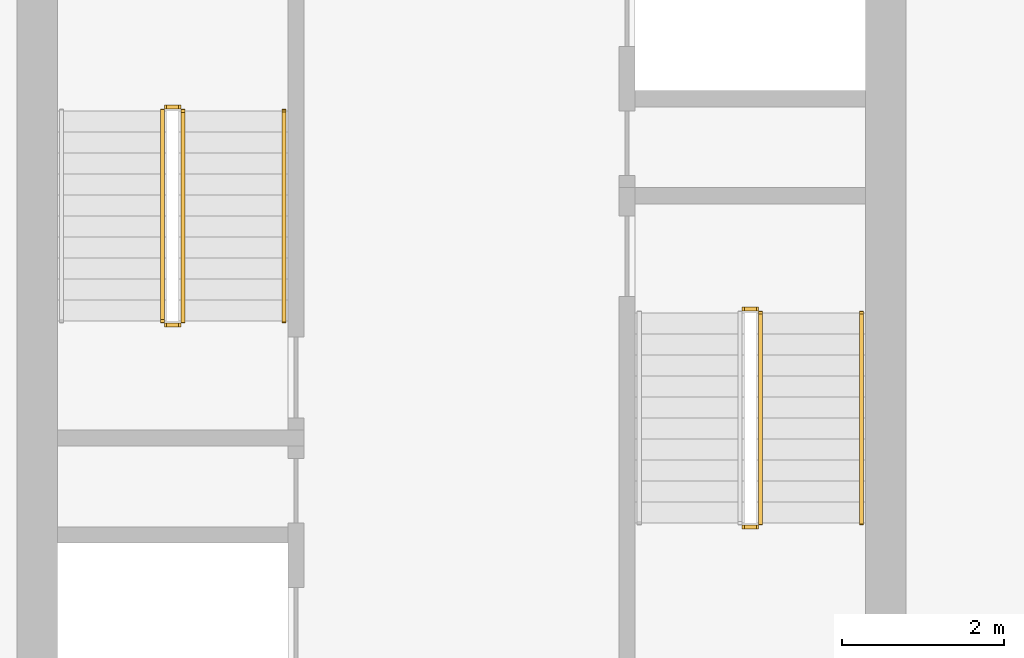
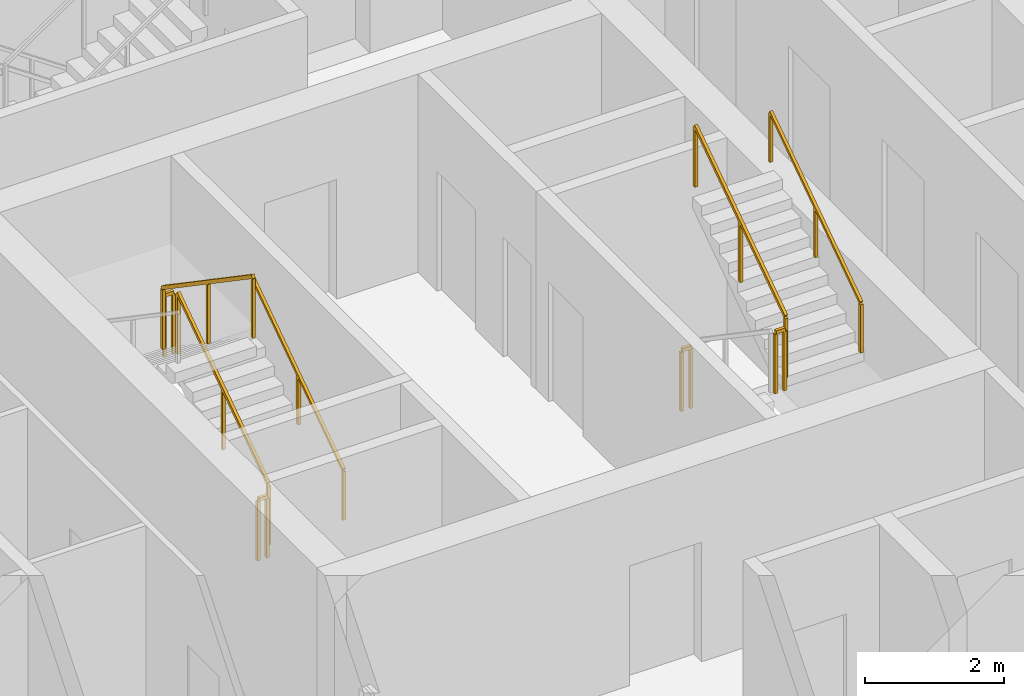
# One storey, part 12 of 15: 9 railings.
"""IFC4 building model written with IfcOpenShell, lengths in metres."""

from ifc_helpers import new_model, si_unit, direction, frame, origin, origin_2d, place, context, subcontext, project, spatial, rectangle, extrude, material, type_object, element, save


model = new_model("IFC4")

# Units and contexts
model_context = context("Model", 3, precision=1e-05, world=origin(), true_north=direction((0.0, 1.0)))
body_context = subcontext(model_context, "Body", "Model", "MODEL_VIEW")
ifc_project = project(units=[si_unit("LENGTHUNIT", "METRE"), si_unit("AREAUNIT", "SQUARE_METRE"), si_unit("VOLUMEUNIT", "CUBIC_METRE"), si_unit("PLANEANGLEUNIT", "RADIAN"), si_unit("MASSUNIT", "GRAM", prefix="KILO")], contexts=[model_context])

# Site, building, storey
site_placement = place(None, origin())
site = spatial("IfcSite", under=ifc_project, at=site_placement, CompositionType="ELEMENT")
building_placement = place(site_placement, origin())
building = spatial("IfcBuilding", under=site, at=building_placement, Name="Khepri Terraces", CompositionType="ELEMENT")
storey_placement = place(building_placement, frame((0.0, 0.0, 145.5)))
storey = spatial("IfcBuildingStorey", under=building, at=storey_placement, Name="L34", CompositionType="ELEMENT", Elevation=145.5)

# Railings
ifc_material = material(Name="Stainless steel 316", Category="steel")
railing_type_1 = type_object("IfcRailingType", Name="RL-CORE-GUARD", PredefinedType="GUARDRAIL", material=ifc_material)
railing_1_placement = place(storey_placement, frame((-3.449951171875, -0.050048828125, 0.17724609375)))
element("IfcRailing", 1, at=railing_1_placement, inside=storey, type_object=railing_type_1, Name="L34 ST-1 stair guard 1", PredefinedType="GUARDRAIL", context=body_context, shape_type="SweptSolid", body=[
    extrude(rectangle(XDim=0.050048828125, YDim=0.06005859375, at=origin_2d()), frame((0.0, 0.0, 1.070068359375), z_axis=(0.0, 0.826240473404, 0.563317565952), x_axis=(-1.0, 0.0, 0.0)), (0.0, 0.0, 1.0), 3.14697265625),
    extrude(rectangle(XDim=0.050048828125, YDim=0.050048828125, at=origin_2d()), origin(), (0.0, 0.0, 1.0), 1.0400390625),
    extrude(rectangle(XDim=0.050048828125, YDim=0.050048828125, at=origin_2d()), frame((0.0, 1.300048828125, 0.88623046875)), (0.0, 0.0, 1.0), 1.0400390625),
    extrude(rectangle(XDim=0.050048828125, YDim=0.050048828125, at=origin_2d()), frame((0.0, 2.60009765625, 1.772705078125)), (0.0, 0.0, 1.0), 1.0400390625),
])
railing_2_placement = place(storey_placement, frame((-3.5, 2.60009765625, 1.949951171875)))
element("IfcRailing", 2, at=railing_2_placement, inside=storey, type_object=railing_type_1, Name="L34 ST-1 stair guard 2", PredefinedType="GUARDRAIL", context=body_context, shape_type="SweptSolid", body=[
    extrude(rectangle(XDim=0.050048828125, YDim=0.06005859375, at=origin_2d()), frame((0.0, 0.0, 1.070068359375), z_axis=(-1.0, 0.0, 0.0), x_axis=(0.0, -1.0, 0.0)), (0.0, 0.0, 1.0), 0.14990234375),
    extrude(rectangle(XDim=0.050048828125, YDim=0.050048828125, at=origin_2d()), origin(), (0.0, 0.0, 1.0), 1.0400390625),
    extrude(rectangle(XDim=0.050048828125, YDim=0.050048828125, at=origin_2d()), frame((-0.14990234375, 0.0, 0.0)), (0.0, 0.0, 1.0), 1.0400390625),
])
railing_3_placement = place(storey_placement, frame((-3.699951171875, 2.550048828125, 2.127197265625)))
element("IfcRailing", 3, at=railing_3_placement, inside=storey, type_object=railing_type_1, Name="L34 ST-1 stair guard 3", PredefinedType="GUARDRAIL", context=body_context, shape_type="SweptSolid", body=[
    extrude(rectangle(XDim=0.050048828125, YDim=0.06005859375, at=origin_2d()), frame((0.0, 0.0, 1.070068359375), z_axis=(0.0, -0.826240473404, 0.563317565952), x_axis=(1.0, 0.0, 0.0)), (0.0, 0.0, 1.0), 3.14697265625),
    extrude(rectangle(XDim=0.050048828125, YDim=0.050048828125, at=origin_2d()), origin(), (0.0, 0.0, 1.0), 1.0400390625),
    extrude(rectangle(XDim=0.050048828125, YDim=0.050048828125, at=origin_2d()), frame((0.0, -1.300048828125, 0.88623046875)), (0.0, 0.0, 1.0), 1.0400390625),
    extrude(rectangle(XDim=0.050048828125, YDim=0.050048828125, at=origin_2d()), frame((0.0, -2.60009765625, 1.772705078125)), (0.0, 0.0, 1.0), 1.0400390625),
])
railing_4_placement = place(storey_placement, frame((-3.5, -0.10009765625, 0.0)))
element("IfcRailing", 4, at=railing_4_placement, inside=storey, type_object=railing_type_1, Name="L34 ST-1 stair guard 4", PredefinedType="GUARDRAIL", context=body_context, shape_type="SweptSolid", body=[
    extrude(rectangle(XDim=0.050048828125, YDim=0.06005859375, at=origin_2d()), frame((0.0, 0.0, 1.070068359375), z_axis=(-1.0, 0.0, 0.0), x_axis=(0.0, -1.0, 0.0)), (0.0, 0.0, 1.0), 0.14990234375),
    extrude(rectangle(XDim=0.050048828125, YDim=0.050048828125, at=origin_2d()), origin(), (0.0, 0.0, 1.0), 1.0400390625),
    extrude(rectangle(XDim=0.050048828125, YDim=0.050048828125, at=origin_2d()), frame((-0.14990234375, 0.0, 0.0)), (0.0, 0.0, 1.0), 1.0400390625),
])
railing_5_placement = place(storey_placement, frame((3.5, -2.60009765625, 1.949951171875)))
element("IfcRailing", 5, at=railing_5_placement, inside=storey, type_object=railing_type_1, Name="L34 ST-2 stair guard 2", PredefinedType="GUARDRAIL", context=body_context, shape_type="SweptSolid", body=[
    extrude(rectangle(XDim=0.050048828125, YDim=0.06005859375, at=origin_2d()), frame((0.0, 0.0, 1.070068359375), z_axis=(1.0, 0.0, 0.0), x_axis=(0.0, 1.0, 0.0)), (0.0, 0.0, 1.0), 0.14990234375),
    extrude(rectangle(XDim=0.050048828125, YDim=0.050048828125, at=origin_2d()), origin(), (0.0, 0.0, 1.0), 1.0400390625),
    extrude(rectangle(XDim=0.050048828125, YDim=0.050048828125, at=origin_2d()), frame((0.14990234375, 0.0, 0.0)), (0.0, 0.0, 1.0), 1.0400390625),
])
railing_6_placement = place(storey_placement, frame((3.699951171875, -2.550048828125, 2.127197265625)))
element("IfcRailing", 6, at=railing_6_placement, inside=storey, type_object=railing_type_1, Name="L34 ST-2 stair guard 3", PredefinedType="GUARDRAIL", context=body_context, shape_type="SweptSolid", body=[
    extrude(rectangle(XDim=0.050048828125, YDim=0.06005859375, at=origin_2d()), frame((0.0, 0.0, 1.070068359375), z_axis=(0.0, 0.826240473404, 0.563317565952), x_axis=(-1.0, 0.0, 0.0)), (0.0, 0.0, 1.0), 3.14697265625),
    extrude(rectangle(XDim=0.050048828125, YDim=0.050048828125, at=origin_2d()), origin(), (0.0, 0.0, 1.0), 1.0400390625),
    extrude(rectangle(XDim=0.050048828125, YDim=0.050048828125, at=origin_2d()), frame((0.0, 1.300048828125, 0.88623046875)), (0.0, 0.0, 1.0), 1.0400390625),
    extrude(rectangle(XDim=0.050048828125, YDim=0.050048828125, at=origin_2d()), frame((0.0, 2.60009765625, 1.772705078125)), (0.0, 0.0, 1.0), 1.0400390625),
])
railing_7_placement = place(storey_placement, frame((3.5, 0.10009765625, 0.0)))
element("IfcRailing", 7, at=railing_7_placement, inside=storey, type_object=railing_type_1, Name="L34 ST-2 stair guard 4", PredefinedType="GUARDRAIL", context=body_context, shape_type="SweptSolid", body=[
    extrude(rectangle(XDim=0.050048828125, YDim=0.06005859375, at=origin_2d()), frame((0.0, 0.0, 1.070068359375), z_axis=(1.0, 0.0, 0.0), x_axis=(0.0, 1.0, 0.0)), (0.0, 0.0, 1.0), 0.14990234375),
    extrude(rectangle(XDim=0.050048828125, YDim=0.050048828125, at=origin_2d()), origin(), (0.0, 0.0, 1.0), 1.0400390625),
    extrude(rectangle(XDim=0.050048828125, YDim=0.050048828125, at=origin_2d()), frame((0.14990234375, 0.0, 0.0)), (0.0, 0.0, 1.0), 1.0400390625),
])
railing_type_2 = type_object("IfcRailingType", Name="RL-CORE-HANDRAIL", PredefinedType="HANDRAIL", material=ifc_material)
for number, where, name in (
    (8, (-2.199951171875, -0.050048828125, 0.17724609375), "L34 ST-1 stair handrail 1"),
    (9, (4.949951171875, -2.550048828125, 2.127197265625), "L34 ST-2 stair handrail 2"),
):
    element("IfcRailing", number, at=place(storey_placement, frame(where)), inside=storey, type_object=railing_type_2, Name=name, PredefinedType="HANDRAIL", context=body_context, shape_type="SweptSolid", body=[
        extrude(rectangle(XDim=0.050048828125, YDim=0.050048828125, at=origin_2d()), frame((0.0, 0.0, 0.875), z_axis=(0.0, 0.826240473404, 0.563317565952), x_axis=(-1.0, 0.0, 0.0)), (0.0, 0.0, 1.0), 3.14697265625),
        extrude(rectangle(XDim=0.050048828125, YDim=0.050048828125, at=origin_2d()), origin(), (0.0, 0.0, 1.0), 0.849853515625),
        extrude(rectangle(XDim=0.050048828125, YDim=0.050048828125, at=origin_2d()), frame((0.0, 1.300048828125, 0.88623046875)), (0.0, 0.0, 1.0), 0.849853515625),
        extrude(rectangle(XDim=0.050048828125, YDim=0.050048828125, at=origin_2d()), frame((0.0, 2.60009765625, 1.772705078125)), (0.0, 0.0, 1.0), 0.849853515625),
    ])

save(model, "model.ifc")
